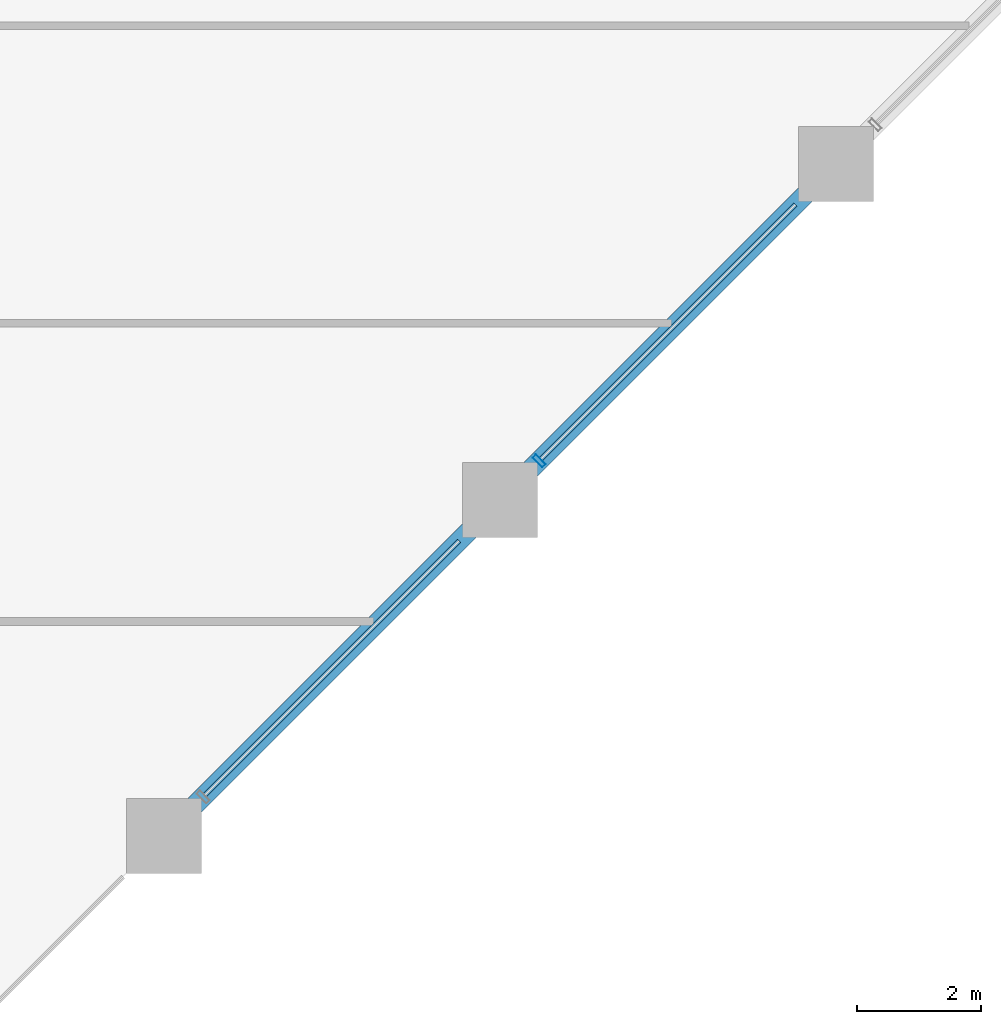
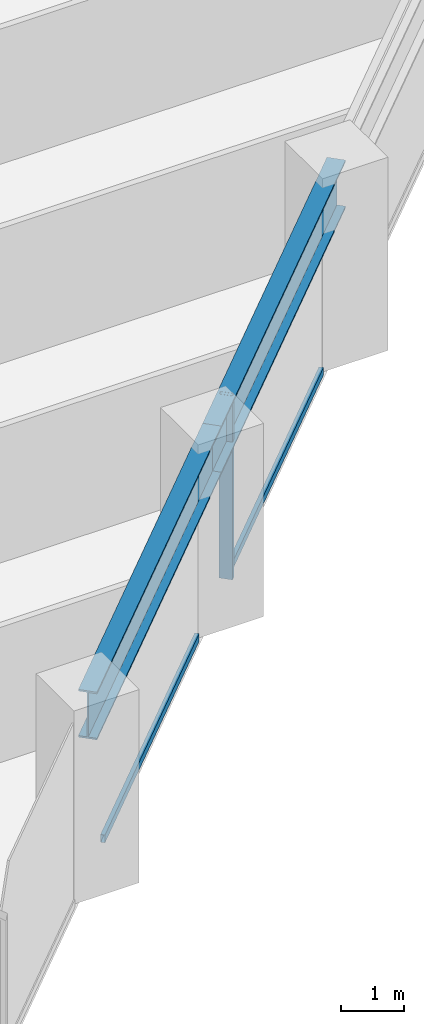
# One storey, part 9 of 28: 3 members, 2 beams, 1 element without a shape of its own.
"""IFC4 building model written with IfcOpenShell, lengths in metres."""

from ifc_helpers import new_model, si_unit, direction, frame, origin, origin_2d, place, context, subcontext, project, spatial, hollow_rectangle, i_section, extrude, material, layer, layer_set, material_profile, profile_set, type_object, element, aggregate, save


model = new_model("IFC4")

# Units and contexts
model_context = context("Model", 3, precision=1e-05, world=origin(), true_north=direction((0.0, 1.0)))
body_context = subcontext(model_context, "Body", "Model", "MODEL_VIEW")
ifc_project = project(units=[si_unit("LENGTHUNIT", "METRE"), si_unit("AREAUNIT", "SQUARE_METRE"), si_unit("VOLUMEUNIT", "CUBIC_METRE"), si_unit("PLANEANGLEUNIT", "RADIAN"), si_unit("MASSUNIT", "GRAM", prefix="KILO")], contexts=[model_context])

# Site, building, storey
site_placement = place(None, origin())
site = spatial("IfcSite", under=ifc_project, at=site_placement, CompositionType="ELEMENT")
building_placement = place(site_placement, origin())
building = spatial("IfcBuilding", under=site, at=building_placement, Name="Surkhivell Harbour Commons", CompositionType="ELEMENT")
storey_placement = place(building_placement, frame((0.0, 0.0, 67.5)))
storey = spatial("IfcBuildingStorey", under=building, at=storey_placement, Name="L17", CompositionType="ELEMENT", Elevation=67.5)

# Beams
ifc_material_1 = material(Name="Steel S460", Category="steel")
ifc_material_profile_1 = material_profile(ifc_material_1, i_section(OverallWidth=0.30810546875, OverallDepth=0.927001953125, WebThickness=0.01953125, FlangeThickness=0.031982421875, at=origin_2d()), Name="UB914x305x289")
ifc_profile_set_1 = profile_set([ifc_material_profile_1], Name="Steel S460")
beam_type = type_object("IfcBeamType", Name="BM-SPN-914B", PredefinedType="SPANDREL", material=ifc_profile_set_1)
for number, where, z_axis, x_axis, name in (
    (1, (16.199951171875, -9.699951171875, 3.1064453125), (0.707122765516, 0.707090796496, 0.0), (-0.707090796496, 0.707122765516, 0.0), "L17 Tube Spandrel (16.2,-9.7)"),
    (2, (21.60009765625, -4.300048828125, 3.1064453125), (0.707090796496, 0.707122765516, 0.0), (-0.707122765516, 0.707090796496, 0.0), "L17 Tube Spandrel (21.6,-4.3)"),
):
    element("IfcBeam", number, at=place(storey_placement, frame(where, z_axis=z_axis, x_axis=x_axis)), inside=storey, type_object=beam_type, Name=name, PredefinedType="SPANDREL", context=body_context, shape_type="SweptSolid", body=[
        extrude(i_section(OverallWidth=0.30810546875, OverallDepth=0.927001953125, WebThickness=0.01953125, FlangeThickness=0.031982421875, at=origin_2d()), origin(), (0.0, 0.0, 1.0), 7.63671875),
    ])

# Curtain wall, members
ifc_material_2 = material(Name="Anodised pale-metal aluminium and insulated glazing", Category="aluminium")
ifc_layer = layer(ifc_material_2, 0.219970703125)
ifc_layer_set = layer_set([ifc_layer], Name="Anodised pale-metal aluminium and insulated glazing")
curtain_wall_type = type_object("IfcCurtainWallType", Name="CW-SYS-Z1", PredefinedType="NOTDEFINED", material=ifc_layer_set)
curtain_wall_placement = place(storey_placement, origin())
curtain_wall = element("IfcCurtainWall", 3, at=curtain_wall_placement, inside=storey, type_object=curtain_wall_type, Name="L17 Curtain Wall CW-L17-E01", PredefinedType="NOTDEFINED")
ifc_material_3 = material(Name="Anodised pale-metal aluminium alloy 6063-T6", Category="aluminium")
ifc_material_profile_2 = material_profile(ifc_material_3, hollow_rectangle(XDim=0.074951171875, YDim=0.219970703125, WallThickness=0.00390625, at=origin_2d()), Name="ALU-MULL-75x220")
ifc_profile_set_2 = profile_set([ifc_material_profile_2], Name="Anodised pale-metal aluminium alloy 6063-T6")
member_type_1 = type_object("IfcMemberType", Name="CWM-220", PredefinedType="MULLION", material=ifc_profile_set_2)
member_1_placement = place(storey_placement, frame((22.228271484375, -3.671630859375, 0.0), z_axis=(0.0, 0.0, 1.0), x_axis=(0.707106781187, 0.707106781187, 0.0)))
member_1 = element("IfcMember", 4, at=member_1_placement, type_object=member_type_1, Name="CW-Z1 mullion 6", PredefinedType="MULLION", context=body_context, shape_type="SweptSolid", body=[
    extrude(hollow_rectangle(XDim=0.074951171875, YDim=0.219970703125, WallThickness=0.00390625, at=origin_2d()), origin(), (0.0, 0.0, 1.0), 3.570068359375),
])
ifc_material_profile_3 = material_profile(ifc_material_3, hollow_rectangle(XDim=0.074951171875, YDim=0.14990234375, WallThickness=0.00341796875, at=origin_2d()), Name="ALU-TRAN-75x150")
ifc_profile_set_3 = profile_set([ifc_material_profile_3], Name="Anodised pale-metal aluminium alloy 6063-T6")
member_type_2 = type_object("IfcMemberType", Name="CWT-150", PredefinedType="USERDEFINED", material=ifc_profile_set_3)
member_2_placement = place(storey_placement, frame((16.854736328125, -9.045166015625, 0.074951171875), z_axis=(0.707127882868, 0.707085678876, 0.0), x_axis=(-0.707085678876, 0.707127882868, 0.0)))
member_2 = element("IfcMember", 5, at=member_2_placement, type_object=member_type_2, Name="CW-Z1 transom 5.1", ObjectType="TRANSOM", PredefinedType="USERDEFINED", context=body_context, shape_type="SweptSolid", body=[
    extrude(hollow_rectangle(XDim=0.074951171875, YDim=0.14990234375, WallThickness=0.00341796875, at=origin_2d()), origin(), (0.0, 0.0, 1.0), 5.78466796875),
])
member_3_placement = place(storey_placement, frame((22.2548828125, -3.645263671875, 0.074951171875), z_axis=(0.707085678876, 0.707127882868, 0.0), x_axis=(-0.707127882868, 0.707085678876, 0.0)))
member_3 = element("IfcMember", 6, at=member_3_placement, type_object=member_type_2, Name="CW-Z1 transom 6.1", ObjectType="TRANSOM", PredefinedType="USERDEFINED", context=body_context, shape_type="SweptSolid", body=[
    extrude(hollow_rectangle(XDim=0.074951171875, YDim=0.14990234375, WallThickness=0.00341796875, at=origin_2d()), origin(), (0.0, 0.0, 1.0), 5.78466796875),
])
aggregate(curtain_wall, [member_2, member_1, member_3])

save(model, "model.ifc")
